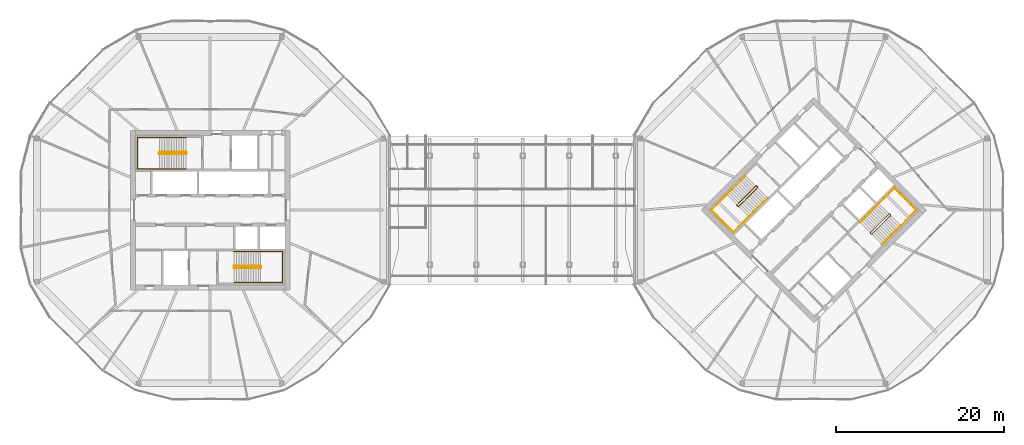
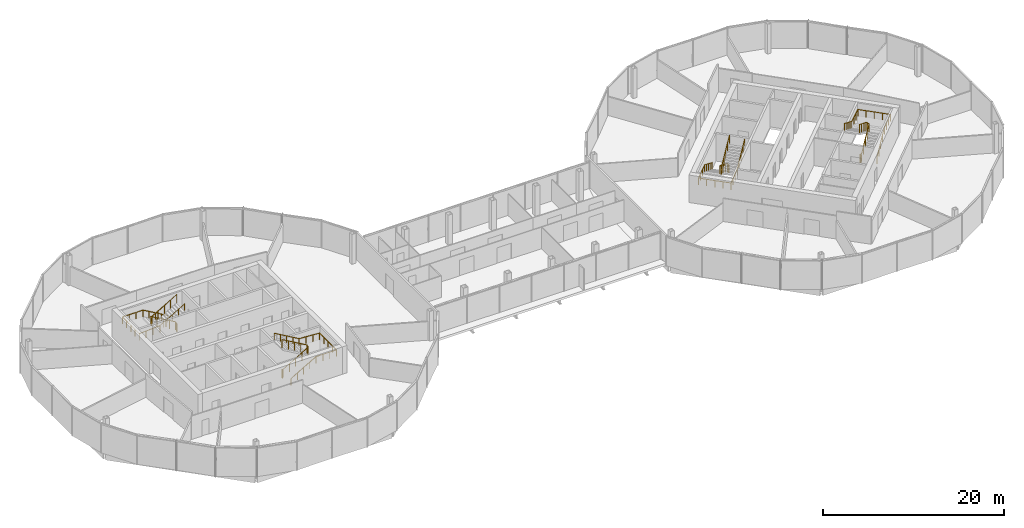
# One storey, part 25 of 25: 8 railings.
"""IFC4 building model written with IfcOpenShell, lengths in metres."""

from ifc_helpers import new_model, si_unit, direction, frame, origin, origin_2d, place, context, subcontext, project, spatial, circle, extrude, material, type_object, element, save


model = new_model("IFC4")

# Units and contexts
model_context = context("Model", 3, precision=1e-05, world=origin(), true_north=direction((0.0, 1.0)))
body_context = subcontext(model_context, "Body", "Model", "MODEL_VIEW")
ifc_project = project(units=[si_unit("LENGTHUNIT", "METRE"), si_unit("AREAUNIT", "SQUARE_METRE"), si_unit("VOLUMEUNIT", "CUBIC_METRE"), si_unit("PLANEANGLEUNIT", "RADIAN"), si_unit("MASSUNIT", "GRAM", prefix="KILO")], contexts=[model_context])

# Site, building, storey
site_placement = place(None, origin())
site = spatial("IfcSite", under=ifc_project, at=site_placement, CompositionType="ELEMENT")
building_placement = place(site_placement, origin())
building = spatial("IfcBuilding", under=site, at=building_placement, Name="Ogive Gate Towers", CompositionType="ELEMENT")
storey_placement = place(building_placement, frame((0.0, 0.0, 152.800048828125)))
storey = spatial("IfcBuildingStorey", under=building, at=storey_placement, Name="L36", CompositionType="ELEMENT", Elevation=152.800048828125)

# Railings
ifc_material = material(Name="Stainless steel", Category="steel")
railing_type_1 = type_object("IfcRailingType", Name="Stair guard 1100", PredefinedType="GUARDRAIL", material=ifc_material)
railing_1_placement = place(storey_placement, frame((-38.81494140625, 6.860107421875, 0.0)))
element("IfcRailing", 1, at=railing_1_placement, inside=storey, type_object=railing_type_1, Name="L36 ST1 stair guard 1", PredefinedType="GUARDRAIL", context=body_context, shape_type="SweptSolid", body=[
    extrude(circle(Radius=0.02392578125, at=origin_2d()), frame((0.0, 0.0, 1.076171875), z_axis=(0.0, -1.0, 0.0), x_axis=(1.0, 0.0, 0.0)), (0.0, 0.0, 1.0), 0.14501953125),
    extrude(circle(Radius=0.02392578125, at=origin_2d()), frame((0.0, -0.14501953125, 1.076171875), z_axis=(-0.19166807023, 0.746103024601, 0.637646945837), x_axis=(-0.968551454522, -0.24881334358, 0.0)), (0.0, 0.0, 1.0), 0.26123046875),
    extrude(circle(Radius=0.02392578125, at=origin_2d()), frame((-0.050048828125, 0.0498046875, 1.24267578125), z_axis=(-0.86512740231, 0.0, 0.501552168546), x_axis=(0.0, -1.0, 0.0)), (0.0, 0.0, 1.0), 3.65576171875),
    extrude(circle(Radius=0.02392578125, at=origin_2d()), frame((-3.212646484375, 0.0498046875, 3.076171875), z_axis=(-0.707106781187, -0.707106781187, 0.0), x_axis=(0.707106781187, -0.707106781187, 0.0)), (0.0, 0.0, 1.0), 0.0703125),
    extrude(circle(Radius=0.02392578125, at=origin_2d()), frame((-3.262451171875, 0.0, 3.076171875), z_axis=(0.0, -1.0, 0.0), x_axis=(1.0, 0.0, 0.0)), (0.0, 0.0, 1.0), 0.14501953125),
    extrude(circle(Radius=0.02392578125, at=origin_2d()), frame((-3.262451171875, -0.14501953125, 3.076171875), z_axis=(0.275382897532, -0.276732813696, 0.920642824102), x_axis=(0.708833529934, 0.705375805398, 0.0)), (0.0, 0.0, 1.0), 0.180908203125),
    extrude(circle(Radius=0.02392578125, at=origin_2d()), frame((-3.212646484375, -0.195068359375, 3.24267578125), z_axis=(0.86512740231, 0.0, 0.501552168546), x_axis=(0.0, 1.0, 0.0)), (0.0, 0.0, 1.0), 3.65576171875),
    extrude(circle(Radius=0.02099609375, at=origin_2d()), origin(), (0.0, 0.0, 1.0), 1.052001953125),
    extrude(circle(Radius=0.02099609375, at=origin_2d()), frame((0.0, -0.14501953125, 0.0)), (0.0, 0.0, 1.0), 1.052001953125),
    extrude(circle(Radius=0.02099609375, at=origin_2d()), frame((-0.050048828125, 0.0498046875, 0.16650390625)), (0.0, 0.0, 1.0), 1.052001953125),
    extrude(circle(Radius=0.02099609375, at=origin_2d()), frame((-0.8408203125, 0.0498046875, 0.625)), (0.0, 0.0, 1.0), 1.052001953125),
    extrude(circle(Radius=0.02099609375, at=origin_2d()), frame((-1.63134765625, 0.0498046875, 1.083251953125)), (0.0, 0.0, 1.0), 1.052001953125),
    extrude(circle(Radius=0.02099609375, at=origin_2d()), frame((-2.421875, 0.0498046875, 1.54150390625)), (0.0, 0.0, 1.0), 1.052001953125),
    extrude(circle(Radius=0.02099609375, at=origin_2d()), frame((-3.212646484375, 0.0498046875, 2.0)), (0.0, 0.0, 1.0), 1.052001953125),
    extrude(circle(Radius=0.02099609375, at=origin_2d()), frame((-3.262451171875, 0.0, 2.0)), (0.0, 0.0, 1.0), 1.052001953125),
    extrude(circle(Radius=0.02099609375, at=origin_2d()), frame((-3.262451171875, -0.14501953125, 2.0)), (0.0, 0.0, 1.0), 1.052001953125),
    extrude(circle(Radius=0.02099609375, at=origin_2d()), frame((-3.212646484375, -0.195068359375, 2.16650390625)), (0.0, 0.0, 1.0), 1.052001953125),
    extrude(circle(Radius=0.02099609375, at=origin_2d()), frame((-2.421875, -0.195068359375, 2.625)), (0.0, 0.0, 1.0), 1.052001953125),
    extrude(circle(Radius=0.02099609375, at=origin_2d()), frame((-1.63134765625, -0.195068359375, 3.083251953125)), (0.0, 0.0, 1.0), 1.052001953125),
    extrude(circle(Radius=0.02099609375, at=origin_2d()), frame((-0.8408203125, -0.195068359375, 3.54150390625)), (0.0, 0.0, 1.0), 1.052001953125),
    extrude(circle(Radius=0.02099609375, at=origin_2d()), frame((-0.050048828125, -0.195068359375, 4.0)), (0.0, 0.0, 1.0), 1.052001953125),
])
railing_2_placement = place(storey_placement, frame((-33.18505859375, -6.860107421875, 0.0)))
element("IfcRailing", 2, at=railing_2_placement, inside=storey, type_object=railing_type_1, Name="L36 ST2 stair guard 1", PredefinedType="GUARDRAIL", context=body_context, shape_type="SweptSolid", body=[
    extrude(circle(Radius=0.02392578125, at=origin_2d()), frame((0.0, 0.0, 1.076171875), z_axis=(0.0, 1.0, 0.0), x_axis=(-1.0, 0.0, 0.0)), (0.0, 0.0, 1.0), 0.14501953125),
    extrude(circle(Radius=0.02392578125, at=origin_2d()), frame((0.0, 0.14501953125, 1.076171875), z_axis=(0.19166807023, -0.746103024601, 0.637646945837), x_axis=(0.968551454522, 0.24881334358, 0.0)), (0.0, 0.0, 1.0), 0.26123046875),
    extrude(circle(Radius=0.02392578125, at=origin_2d()), frame((0.050048828125, -0.0498046875, 1.24267578125), z_axis=(0.86512740231, 0.0, 0.501552168546), x_axis=(0.0, 1.0, 0.0)), (0.0, 0.0, 1.0), 3.65576171875),
    extrude(circle(Radius=0.02392578125, at=origin_2d()), frame((3.212646484375, -0.0498046875, 3.076171875), z_axis=(0.707106781187, 0.707106781187, 0.0), x_axis=(-0.707106781187, 0.707106781187, 0.0)), (0.0, 0.0, 1.0), 0.0703125),
    extrude(circle(Radius=0.02392578125, at=origin_2d()), frame((3.262451171875, 0.0, 3.076171875), z_axis=(0.0, 1.0, 0.0), x_axis=(-1.0, 0.0, 0.0)), (0.0, 0.0, 1.0), 0.14501953125),
    extrude(circle(Radius=0.02392578125, at=origin_2d()), frame((3.262451171875, 0.14501953125, 3.076171875), z_axis=(-0.275382897532, 0.276732813696, 0.920642824102), x_axis=(-0.708833529934, -0.705375805398, 0.0)), (0.0, 0.0, 1.0), 0.180908203125),
    extrude(circle(Radius=0.02392578125, at=origin_2d()), frame((3.212646484375, 0.195068359375, 3.24267578125), z_axis=(-0.86512740231, 0.0, 0.501552168546), x_axis=(0.0, -1.0, 0.0)), (0.0, 0.0, 1.0), 3.65576171875),
    extrude(circle(Radius=0.02099609375, at=origin_2d()), origin(), (0.0, 0.0, 1.0), 1.052001953125),
    extrude(circle(Radius=0.02099609375, at=origin_2d()), frame((0.0, 0.14501953125, 0.0)), (0.0, 0.0, 1.0), 1.052001953125),
    extrude(circle(Radius=0.02099609375, at=origin_2d()), frame((0.050048828125, -0.0498046875, 0.16650390625)), (0.0, 0.0, 1.0), 1.052001953125),
    extrude(circle(Radius=0.02099609375, at=origin_2d()), frame((0.8408203125, -0.0498046875, 0.625)), (0.0, 0.0, 1.0), 1.052001953125),
    extrude(circle(Radius=0.02099609375, at=origin_2d()), frame((1.63134765625, -0.0498046875, 1.083251953125)), (0.0, 0.0, 1.0), 1.052001953125),
    extrude(circle(Radius=0.02099609375, at=origin_2d()), frame((2.421875, -0.0498046875, 1.54150390625)), (0.0, 0.0, 1.0), 1.052001953125),
    extrude(circle(Radius=0.02099609375, at=origin_2d()), frame((3.212646484375, -0.0498046875, 2.0)), (0.0, 0.0, 1.0), 1.052001953125),
    extrude(circle(Radius=0.02099609375, at=origin_2d()), frame((3.262451171875, 0.0, 2.0)), (0.0, 0.0, 1.0), 1.052001953125),
    extrude(circle(Radius=0.02099609375, at=origin_2d()), frame((3.262451171875, 0.14501953125, 2.0)), (0.0, 0.0, 1.0), 1.052001953125),
    extrude(circle(Radius=0.02099609375, at=origin_2d()), frame((3.212646484375, 0.195068359375, 2.16650390625)), (0.0, 0.0, 1.0), 1.052001953125),
    extrude(circle(Radius=0.02099609375, at=origin_2d()), frame((2.421875, 0.195068359375, 2.625)), (0.0, 0.0, 1.0), 1.052001953125),
    extrude(circle(Radius=0.02099609375, at=origin_2d()), frame((1.63134765625, 0.195068359375, 3.083251953125)), (0.0, 0.0, 1.0), 1.052001953125),
    extrude(circle(Radius=0.02099609375, at=origin_2d()), frame((0.8408203125, 0.195068359375, 3.54150390625)), (0.0, 0.0, 1.0), 1.052001953125),
    extrude(circle(Radius=0.02099609375, at=origin_2d()), frame((0.050048828125, 0.195068359375, 4.0)), (0.0, 0.0, 1.0), 1.052001953125),
])
railing_3_placement = place(storey_placement, frame((29.15869140625, 2.8603515625, 0.0)))
element("IfcRailing", 3, at=railing_3_placement, inside=storey, type_object=railing_type_1, Name="L36 ST1 stair guard 1", PredefinedType="GUARDRAIL", context=body_context, shape_type="SweptSolid", body=[
    extrude(circle(Radius=0.02392578125, at=origin_2d()), frame((0.0, 0.0, 1.076171875), z_axis=(0.707106781187, -0.707106781187, 0.0), x_axis=(0.707106781187, 0.707106781187, 0.0)), (0.0, 0.0, 1.0), 0.14501953125),
    extrude(circle(Radius=0.02392578125, at=origin_2d()), frame((0.1025390625, -0.1025390625, 1.076171875), z_axis=(-0.662818031471, 0.39264255743, 0.637576724208), x_axis=(-0.509669330572, -0.860370369942, 0.0)), (0.0, 0.0, 1.0), 0.26123046875),
    extrude(circle(Radius=0.02392578125, at=origin_2d()), frame((-0.070556640625, 0.0, 1.24267578125), z_axis=(-0.611739783828, -0.611739783828, 0.501546482156), x_axis=(0.707106781187, -0.707106781187, 0.0)), (0.0, 0.0, 1.0), 3.65576171875),
    extrude(circle(Radius=0.02392578125, at=origin_2d()), frame((-2.306884765625, -2.236328125, 3.076171875), z_axis=(0.0, -1.0, 0.0), x_axis=(1.0, 0.0, 0.0)), (0.0, 0.0, 1.0), 0.07080078125),
    extrude(circle(Radius=0.02392578125, at=origin_2d()), frame((-2.306884765625, -2.30712890625, 3.076171875), z_axis=(0.707106781187, -0.707106781187, 0.0), x_axis=(0.707106781187, 0.707106781187, 0.0)), (0.0, 0.0, 1.0), 0.14501953125),
    extrude(circle(Radius=0.02392578125, at=origin_2d()), frame((-2.204345703125, -2.40966796875, 3.076171875), z_axis=(0.391312070548, 0.0, 0.920258041771), x_axis=(0.0, 1.0, 0.0)), (0.0, 0.0, 1.0), 0.180908203125),
    extrude(circle(Radius=0.02392578125, at=origin_2d()), frame((-2.133544921875, -2.40966796875, 3.24267578125), z_axis=(0.61169798966, 0.611764776208, 0.501566972633), x_axis=(-0.707145379772, 0.707068180494, 0.0)), (0.0, 0.0, 1.0), 3.655517578125),
    extrude(circle(Radius=0.02099609375, at=origin_2d()), origin(), (0.0, 0.0, 1.0), 1.052001953125),
    extrude(circle(Radius=0.02099609375, at=origin_2d()), frame((0.1025390625, -0.1025390625, 0.0)), (0.0, 0.0, 1.0), 1.052001953125),
    extrude(circle(Radius=0.02099609375, at=origin_2d()), frame((-0.070556640625, 0.0, 0.16650390625)), (0.0, 0.0, 1.0), 1.052001953125),
    extrude(circle(Radius=0.02099609375, at=origin_2d()), frame((-0.629638671875, -0.55908203125, 0.625)), (0.0, 0.0, 1.0), 1.052001953125),
    extrude(circle(Radius=0.02099609375, at=origin_2d()), frame((-1.188720703125, -1.1181640625, 1.083251953125)), (0.0, 0.0, 1.0), 1.052001953125),
    extrude(circle(Radius=0.02099609375, at=origin_2d()), frame((-1.747802734375, -1.67724609375, 1.54150390625)), (0.0, 0.0, 1.0), 1.052001953125),
    extrude(circle(Radius=0.02099609375, at=origin_2d()), frame((-2.306884765625, -2.236328125, 2.0)), (0.0, 0.0, 1.0), 1.052001953125),
    extrude(circle(Radius=0.02099609375, at=origin_2d()), frame((-2.306884765625, -2.30712890625, 2.0)), (0.0, 0.0, 1.0), 1.052001953125),
    extrude(circle(Radius=0.02099609375, at=origin_2d()), frame((-2.204345703125, -2.40966796875, 2.0)), (0.0, 0.0, 1.0), 1.052001953125),
    extrude(circle(Radius=0.02099609375, at=origin_2d()), frame((-2.133544921875, -2.40966796875, 2.16650390625)), (0.0, 0.0, 1.0), 1.052001953125),
    extrude(circle(Radius=0.02099609375, at=origin_2d()), frame((-1.574462890625, -1.8505859375, 2.625)), (0.0, 0.0, 1.0), 1.052001953125),
    extrude(circle(Radius=0.02099609375, at=origin_2d()), frame((-1.015625, -1.29150390625, 3.083251953125)), (0.0, 0.0, 1.0), 1.052001953125),
    extrude(circle(Radius=0.02099609375, at=origin_2d()), frame((-0.45654296875, -0.732421875, 3.54150390625)), (0.0, 0.0, 1.0), 1.052001953125),
    extrude(circle(Radius=0.02099609375, at=origin_2d()), frame((0.1025390625, -0.17333984375, 4.0)), (0.0, 0.0, 1.0), 1.052001953125),
])
railing_4_placement = place(storey_placement, frame((42.84130859375, -2.8603515625, 0.0)))
element("IfcRailing", 4, at=railing_4_placement, inside=storey, type_object=railing_type_1, Name="L36 ST2 stair guard 1", PredefinedType="GUARDRAIL", context=body_context, shape_type="SweptSolid", body=[
    extrude(circle(Radius=0.02392578125, at=origin_2d()), frame((0.0, 0.0, 1.076171875), z_axis=(-0.707106781187, 0.707106781187, 0.0), x_axis=(-0.707106781187, -0.707106781187, 0.0)), (0.0, 0.0, 1.0), 0.14501953125),
    extrude(circle(Radius=0.02392578125, at=origin_2d()), frame((-0.1025390625, 0.1025390625, 1.076171875), z_axis=(0.662818031471, -0.39264255743, 0.637576724208), x_axis=(0.509669330572, 0.860370369942, 0.0)), (0.0, 0.0, 1.0), 0.26123046875),
    extrude(circle(Radius=0.02392578125, at=origin_2d()), frame((0.070556640625, 0.0, 1.24267578125), z_axis=(0.611739783828, 0.611739783828, 0.501546482156), x_axis=(-0.707106781187, 0.707106781187, 0.0)), (0.0, 0.0, 1.0), 3.65576171875),
    extrude(circle(Radius=0.02392578125, at=origin_2d()), frame((2.306884765625, 2.236328125, 3.076171875), z_axis=(0.0, 1.0, 0.0), x_axis=(-1.0, 0.0, 0.0)), (0.0, 0.0, 1.0), 0.07080078125),
    extrude(circle(Radius=0.02392578125, at=origin_2d()), frame((2.306884765625, 2.30712890625, 3.076171875), z_axis=(-0.707106781187, 0.707106781187, 0.0), x_axis=(-0.707106781187, -0.707106781187, 0.0)), (0.0, 0.0, 1.0), 0.14501953125),
    extrude(circle(Radius=0.02392578125, at=origin_2d()), frame((2.204345703125, 2.40966796875, 3.076171875), z_axis=(-0.391312070548, 0.0, 0.920258041771), x_axis=(0.0, -1.0, 0.0)), (0.0, 0.0, 1.0), 0.180908203125),
    extrude(circle(Radius=0.02392578125, at=origin_2d()), frame((2.133544921875, 2.40966796875, 3.24267578125), z_axis=(-0.61169798966, -0.611764776208, 0.501566972633), x_axis=(0.707145379772, -0.707068180494, 0.0)), (0.0, 0.0, 1.0), 3.655517578125),
    extrude(circle(Radius=0.02099609375, at=origin_2d()), origin(), (0.0, 0.0, 1.0), 1.052001953125),
    extrude(circle(Radius=0.02099609375, at=origin_2d()), frame((-0.1025390625, 0.1025390625, 0.0)), (0.0, 0.0, 1.0), 1.052001953125),
    extrude(circle(Radius=0.02099609375, at=origin_2d()), frame((0.070556640625, 0.0, 0.16650390625)), (0.0, 0.0, 1.0), 1.052001953125),
    extrude(circle(Radius=0.02099609375, at=origin_2d()), frame((0.629638671875, 0.55908203125, 0.625)), (0.0, 0.0, 1.0), 1.052001953125),
    extrude(circle(Radius=0.02099609375, at=origin_2d()), frame((1.188720703125, 1.1181640625, 1.083251953125)), (0.0, 0.0, 1.0), 1.052001953125),
    extrude(circle(Radius=0.02099609375, at=origin_2d()), frame((1.747802734375, 1.67724609375, 1.54150390625)), (0.0, 0.0, 1.0), 1.052001953125),
    extrude(circle(Radius=0.02099609375, at=origin_2d()), frame((2.306884765625, 2.236328125, 2.0)), (0.0, 0.0, 1.0), 1.052001953125),
    extrude(circle(Radius=0.02099609375, at=origin_2d()), frame((2.306884765625, 2.30712890625, 2.0)), (0.0, 0.0, 1.0), 1.052001953125),
    extrude(circle(Radius=0.02099609375, at=origin_2d()), frame((2.204345703125, 2.40966796875, 2.0)), (0.0, 0.0, 1.0), 1.052001953125),
    extrude(circle(Radius=0.02099609375, at=origin_2d()), frame((2.133544921875, 2.40966796875, 2.16650390625)), (0.0, 0.0, 1.0), 1.052001953125),
    extrude(circle(Radius=0.02099609375, at=origin_2d()), frame((1.574462890625, 1.8505859375, 2.625)), (0.0, 0.0, 1.0), 1.052001953125),
    extrude(circle(Radius=0.02099609375, at=origin_2d()), frame((1.015625, 1.29150390625, 3.083251953125)), (0.0, 0.0, 1.0), 1.052001953125),
    extrude(circle(Radius=0.02099609375, at=origin_2d()), frame((0.45654296875, 0.732421875, 3.54150390625)), (0.0, 0.0, 1.0), 1.052001953125),
    extrude(circle(Radius=0.02099609375, at=origin_2d()), frame((-0.1025390625, 0.17333984375, 4.0)), (0.0, 0.0, 1.0), 1.052001953125),
])
railing_type_2 = type_object("IfcRailingType", Name="Stair handrail 900", PredefinedType="HANDRAIL", material=ifc_material)
railing_5_placement = place(storey_placement, frame((-38.864990234375, 8.64990234375, 0.16650390625)))
element("IfcRailing", 5, at=railing_5_placement, inside=storey, type_object=railing_type_2, Name="L36 ST1 stair handrail 1", PredefinedType="HANDRAIL", context=body_context, shape_type="SweptSolid", body=[
    extrude(circle(Radius=0.02392578125, at=origin_2d()), frame((0.0, 0.0, 0.8759765625), z_axis=(-0.86512740231, 0.0, 0.501552168546), x_axis=(0.0, -1.0, 0.0)), (0.0, 0.0, 1.0), 3.65576171875),
    extrude(circle(Radius=0.02392578125, at=origin_2d()), frame((-3.16259765625, 0.0, 2.70947265625), z_axis=(-1.0, 0.0, 0.0), x_axis=(0.0, -1.0, 0.0)), (0.0, 0.0, 1.0), 2.622314453125),
    extrude(circle(Radius=0.02392578125, at=origin_2d()), frame((-5.784912109375, 0.0, 2.70947265625), z_axis=(0.0, -1.0, 0.0), x_axis=(1.0, 0.0, 0.0)), (0.0, 0.0, 1.0), 3.724853515625),
    extrude(circle(Radius=0.02392578125, at=origin_2d()), frame((-5.784912109375, -3.724853515625, 2.70947265625), z_axis=(0.997990266097, 0.0, 0.063367410993), x_axis=(0.0, 1.0, 0.0)), (0.0, 0.0, 1.0), 2.627685546875),
    extrude(circle(Radius=0.02392578125, at=origin_2d()), frame((-3.16259765625, -3.724853515625, 2.8759765625), z_axis=(0.86512740231, 0.0, 0.501552168546), x_axis=(0.0, 1.0, 0.0)), (0.0, 0.0, 1.0), 3.65576171875),
    extrude(circle(Radius=0.02099609375, at=origin_2d()), origin(), (0.0, 0.0, 1.0), 0.851806640625),
    extrude(circle(Radius=0.02099609375, at=origin_2d()), frame((-0.79052734375, 0.0, 0.45849609375)), (0.0, 0.0, 1.0), 0.851806640625),
    extrude(circle(Radius=0.02099609375, at=origin_2d()), frame((-1.581298828125, 0.0, 0.916748046875)), (0.0, 0.0, 1.0), 0.851806640625),
    extrude(circle(Radius=0.02099609375, at=origin_2d()), frame((-2.3720703125, 0.0, 1.375)), (0.0, 0.0, 1.0), 0.851806640625),
    extrude(circle(Radius=0.02099609375, at=origin_2d()), frame((-3.16259765625, 0.0, 1.83349609375)), (0.0, 0.0, 1.0), 0.851806640625),
    extrude(circle(Radius=0.02099609375, at=origin_2d()), frame((-4.03662109375, 0.0, 1.83349609375)), (0.0, 0.0, 1.0), 0.851806640625),
    extrude(circle(Radius=0.02099609375, at=origin_2d()), frame((-4.910888671875, 0.0, 1.83349609375)), (0.0, 0.0, 1.0), 0.851806640625),
    extrude(circle(Radius=0.02099609375, at=origin_2d()), frame((-5.784912109375, 0.0, 1.83349609375)), (0.0, 0.0, 1.0), 0.851806640625),
    extrude(circle(Radius=0.02099609375, at=origin_2d()), frame((-5.784912109375, -0.93115234375, 1.83349609375)), (0.0, 0.0, 1.0), 0.851806640625),
    extrude(circle(Radius=0.02099609375, at=origin_2d()), frame((-5.784912109375, -1.8623046875, 1.83349609375)), (0.0, 0.0, 1.0), 0.851806640625),
    extrude(circle(Radius=0.02099609375, at=origin_2d()), frame((-5.784912109375, -2.793701171875, 1.83349609375)), (0.0, 0.0, 1.0), 0.851806640625),
    extrude(circle(Radius=0.02099609375, at=origin_2d()), frame((-5.784912109375, -3.724853515625, 1.83349609375)), (0.0, 0.0, 1.0), 0.851806640625),
    extrude(circle(Radius=0.02099609375, at=origin_2d()), frame((-4.910888671875, -3.724853515625, 1.888916015625)), (0.0, 0.0, 1.0), 0.851806640625),
    extrude(circle(Radius=0.02099609375, at=origin_2d()), frame((-4.03662109375, -3.724853515625, 1.944580078125)), (0.0, 0.0, 1.0), 0.851806640625),
    extrude(circle(Radius=0.02099609375, at=origin_2d()), frame((-3.16259765625, -3.724853515625, 2.0)), (0.0, 0.0, 1.0), 0.851806640625),
    extrude(circle(Radius=0.02099609375, at=origin_2d()), frame((-2.3720703125, -3.724853515625, 2.45849609375)), (0.0, 0.0, 1.0), 0.851806640625),
    extrude(circle(Radius=0.02099609375, at=origin_2d()), frame((-1.581298828125, -3.724853515625, 2.916748046875)), (0.0, 0.0, 1.0), 0.851806640625),
    extrude(circle(Radius=0.02099609375, at=origin_2d()), frame((-0.79052734375, -3.724853515625, 3.375)), (0.0, 0.0, 1.0), 0.851806640625),
    extrude(circle(Radius=0.02099609375, at=origin_2d()), frame((0.0, -3.724853515625, 3.83349609375)), (0.0, 0.0, 1.0), 0.851806640625),
])
railing_6_placement = place(storey_placement, frame((-33.135009765625, -8.64990234375, 0.16650390625)))
element("IfcRailing", 6, at=railing_6_placement, inside=storey, type_object=railing_type_2, Name="L36 ST2 stair handrail 1", PredefinedType="HANDRAIL", context=body_context, shape_type="SweptSolid", body=[
    extrude(circle(Radius=0.02392578125, at=origin_2d()), frame((0.0, 0.0, 0.8759765625), z_axis=(0.86512740231, 0.0, 0.501552168546), x_axis=(0.0, 1.0, 0.0)), (0.0, 0.0, 1.0), 3.65576171875),
    extrude(circle(Radius=0.02392578125, at=origin_2d()), frame((3.16259765625, 0.0, 2.70947265625), z_axis=(1.0, 0.0, 0.0), x_axis=(0.0, 1.0, 0.0)), (0.0, 0.0, 1.0), 2.622314453125),
    extrude(circle(Radius=0.02392578125, at=origin_2d()), frame((5.784912109375, 0.0, 2.70947265625), z_axis=(0.0, 1.0, 0.0), x_axis=(-1.0, 0.0, 0.0)), (0.0, 0.0, 1.0), 3.724853515625),
    extrude(circle(Radius=0.02392578125, at=origin_2d()), frame((5.784912109375, 3.724853515625, 2.70947265625), z_axis=(-0.997990266097, 0.0, 0.063367410993), x_axis=(0.0, -1.0, 0.0)), (0.0, 0.0, 1.0), 2.627685546875),
    extrude(circle(Radius=0.02392578125, at=origin_2d()), frame((3.16259765625, 3.724853515625, 2.8759765625), z_axis=(-0.86512740231, 0.0, 0.501552168546), x_axis=(0.0, -1.0, 0.0)), (0.0, 0.0, 1.0), 3.65576171875),
    extrude(circle(Radius=0.02099609375, at=origin_2d()), origin(), (0.0, 0.0, 1.0), 0.851806640625),
    extrude(circle(Radius=0.02099609375, at=origin_2d()), frame((0.79052734375, 0.0, 0.45849609375)), (0.0, 0.0, 1.0), 0.851806640625),
    extrude(circle(Radius=0.02099609375, at=origin_2d()), frame((1.581298828125, 0.0, 0.916748046875)), (0.0, 0.0, 1.0), 0.851806640625),
    extrude(circle(Radius=0.02099609375, at=origin_2d()), frame((2.3720703125, 0.0, 1.375)), (0.0, 0.0, 1.0), 0.851806640625),
    extrude(circle(Radius=0.02099609375, at=origin_2d()), frame((3.16259765625, 0.0, 1.83349609375)), (0.0, 0.0, 1.0), 0.851806640625),
    extrude(circle(Radius=0.02099609375, at=origin_2d()), frame((4.03662109375, 0.0, 1.83349609375)), (0.0, 0.0, 1.0), 0.851806640625),
    extrude(circle(Radius=0.02099609375, at=origin_2d()), frame((4.910888671875, 0.0, 1.83349609375)), (0.0, 0.0, 1.0), 0.851806640625),
    extrude(circle(Radius=0.02099609375, at=origin_2d()), frame((5.784912109375, 0.0, 1.83349609375)), (0.0, 0.0, 1.0), 0.851806640625),
    extrude(circle(Radius=0.02099609375, at=origin_2d()), frame((5.784912109375, 0.93115234375, 1.83349609375)), (0.0, 0.0, 1.0), 0.851806640625),
    extrude(circle(Radius=0.02099609375, at=origin_2d()), frame((5.784912109375, 1.8623046875, 1.83349609375)), (0.0, 0.0, 1.0), 0.851806640625),
    extrude(circle(Radius=0.02099609375, at=origin_2d()), frame((5.784912109375, 2.793701171875, 1.83349609375)), (0.0, 0.0, 1.0), 0.851806640625),
    extrude(circle(Radius=0.02099609375, at=origin_2d()), frame((5.784912109375, 3.724853515625, 1.83349609375)), (0.0, 0.0, 1.0), 0.851806640625),
    extrude(circle(Radius=0.02099609375, at=origin_2d()), frame((4.910888671875, 3.724853515625, 1.888916015625)), (0.0, 0.0, 1.0), 0.851806640625),
    extrude(circle(Radius=0.02099609375, at=origin_2d()), frame((4.03662109375, 3.724853515625, 1.944580078125)), (0.0, 0.0, 1.0), 0.851806640625),
    extrude(circle(Radius=0.02099609375, at=origin_2d()), frame((3.16259765625, 3.724853515625, 2.0)), (0.0, 0.0, 1.0), 0.851806640625),
    extrude(circle(Radius=0.02099609375, at=origin_2d()), frame((2.3720703125, 3.724853515625, 2.45849609375)), (0.0, 0.0, 1.0), 0.851806640625),
    extrude(circle(Radius=0.02099609375, at=origin_2d()), frame((1.581298828125, 3.724853515625, 2.916748046875)), (0.0, 0.0, 1.0), 0.851806640625),
    extrude(circle(Radius=0.02099609375, at=origin_2d()), frame((0.79052734375, 3.724853515625, 3.375)), (0.0, 0.0, 1.0), 0.851806640625),
    extrude(circle(Radius=0.02099609375, at=origin_2d()), frame((0.0, 3.724853515625, 3.83349609375)), (0.0, 0.0, 1.0), 0.851806640625),
])
railing_7_placement = place(storey_placement, frame((27.857666015625, 4.090576171875, 0.16650390625)))
element("IfcRailing", 7, at=railing_7_placement, inside=storey, type_object=railing_type_2, Name="L36 ST1 stair handrail 1", PredefinedType="HANDRAIL", context=body_context, shape_type="SweptSolid", body=[
    extrude(circle(Radius=0.02392578125, at=origin_2d()), frame((0.0, 0.0, 0.8759765625), z_axis=(-0.611764776208, -0.61169798966, 0.501566972633), x_axis=(0.707068180494, -0.707145379772, 0.0)), (0.0, 0.0, 1.0), 3.655517578125),
    extrude(circle(Radius=0.02392578125, at=origin_2d()), frame((-2.236328125, -2.236083984375, 2.70947265625), z_axis=(-0.70706023191, -0.707153327399, 0.0), x_axis=(0.707153327399, -0.70706023191, 0.0)), (0.0, 0.0, 1.0), 2.62255859375),
    extrude(circle(Radius=0.02392578125, at=origin_2d()), frame((-4.090576171875, -4.090576171875, 2.70947265625), z_axis=(0.707106781187, -0.707106781187, 0.0), x_axis=(0.707106781187, 0.707106781187, 0.0)), (0.0, 0.0, 1.0), 3.72509765625),
    extrude(circle(Radius=0.02392578125, at=origin_2d()), frame((-1.45654296875, -6.724609375, 2.70947265625), z_axis=(0.705639402853, 0.705732311267, 0.063363538215), x_axis=(-0.707153327399, 0.70706023191, 0.0)), (0.0, 0.0, 1.0), 2.627685546875),
    extrude(circle(Radius=0.02392578125, at=origin_2d()), frame((0.397705078125, -4.8701171875, 2.8759765625), z_axis=(0.611764776208, 0.61169798966, 0.501566972633), x_axis=(-0.707068180494, 0.707145379772, 0.0)), (0.0, 0.0, 1.0), 3.655517578125),
    extrude(circle(Radius=0.02099609375, at=origin_2d()), origin(), (0.0, 0.0, 1.0), 0.851806640625),
    extrude(circle(Radius=0.02099609375, at=origin_2d()), frame((-0.55908203125, -0.55908203125, 0.45849609375)), (0.0, 0.0, 1.0), 0.851806640625),
    extrude(circle(Radius=0.02099609375, at=origin_2d()), frame((-1.1181640625, -1.1181640625, 0.916748046875)), (0.0, 0.0, 1.0), 0.851806640625),
    extrude(circle(Radius=0.02099609375, at=origin_2d()), frame((-1.67724609375, -1.677001953125, 1.375)), (0.0, 0.0, 1.0), 0.851806640625),
    extrude(circle(Radius=0.02099609375, at=origin_2d()), frame((-2.236328125, -2.236083984375, 1.83349609375)), (0.0, 0.0, 1.0), 0.851806640625),
    extrude(circle(Radius=0.02099609375, at=origin_2d()), frame((-2.8544921875, -2.854248046875, 1.83349609375)), (0.0, 0.0, 1.0), 0.851806640625),
    extrude(circle(Radius=0.02099609375, at=origin_2d()), frame((-3.472412109375, -3.472412109375, 1.83349609375)), (0.0, 0.0, 1.0), 0.851806640625),
    extrude(circle(Radius=0.02099609375, at=origin_2d()), frame((-4.090576171875, -4.090576171875, 1.83349609375)), (0.0, 0.0, 1.0), 0.851806640625),
    extrude(circle(Radius=0.02099609375, at=origin_2d()), frame((-3.43212890625, -4.7490234375, 1.83349609375)), (0.0, 0.0, 1.0), 0.851806640625),
    extrude(circle(Radius=0.02099609375, at=origin_2d()), frame((-2.7734375, -5.40771484375, 1.83349609375)), (0.0, 0.0, 1.0), 0.851806640625),
    extrude(circle(Radius=0.02099609375, at=origin_2d()), frame((-2.114990234375, -6.066162109375, 1.83349609375)), (0.0, 0.0, 1.0), 0.851806640625),
    extrude(circle(Radius=0.02099609375, at=origin_2d()), frame((-1.45654296875, -6.724609375, 1.83349609375)), (0.0, 0.0, 1.0), 0.851806640625),
    extrude(circle(Radius=0.02099609375, at=origin_2d()), frame((-0.83837890625, -6.1064453125, 1.888916015625)), (0.0, 0.0, 1.0), 0.851806640625),
    extrude(circle(Radius=0.02099609375, at=origin_2d()), frame((-0.220458984375, -5.48828125, 1.944580078125)), (0.0, 0.0, 1.0), 0.851806640625),
    extrude(circle(Radius=0.02099609375, at=origin_2d()), frame((0.397705078125, -4.8701171875, 2.0)), (0.0, 0.0, 1.0), 0.851806640625),
    extrude(circle(Radius=0.02099609375, at=origin_2d()), frame((0.956787109375, -4.31103515625, 2.45849609375)), (0.0, 0.0, 1.0), 0.851806640625),
    extrude(circle(Radius=0.02099609375, at=origin_2d()), frame((1.515869140625, -3.751953125, 2.916748046875)), (0.0, 0.0, 1.0), 0.851806640625),
    extrude(circle(Radius=0.02099609375, at=origin_2d()), frame((2.074951171875, -3.193115234375, 3.375)), (0.0, 0.0, 1.0), 0.851806640625),
    extrude(circle(Radius=0.02099609375, at=origin_2d()), frame((2.634033203125, -2.634033203125, 3.83349609375)), (0.0, 0.0, 1.0), 0.851806640625),
])
railing_8_placement = place(storey_placement, frame((44.142333984375, -4.090576171875, 0.16650390625)))
element("IfcRailing", 8, at=railing_8_placement, inside=storey, type_object=railing_type_2, Name="L36 ST2 stair handrail 1", PredefinedType="HANDRAIL", context=body_context, shape_type="SweptSolid", body=[
    extrude(circle(Radius=0.02392578125, at=origin_2d()), frame((0.0, 0.0, 0.8759765625), z_axis=(0.611764776208, 0.61169798966, 0.501566972633), x_axis=(-0.707068180494, 0.707145379772, 0.0)), (0.0, 0.0, 1.0), 3.655517578125),
    extrude(circle(Radius=0.02392578125, at=origin_2d()), frame((2.236328125, 2.236083984375, 2.70947265625), z_axis=(0.70706023191, 0.707153327399, 0.0), x_axis=(-0.707153327399, 0.70706023191, 0.0)), (0.0, 0.0, 1.0), 2.62255859375),
    extrude(circle(Radius=0.02392578125, at=origin_2d()), frame((4.090576171875, 4.090576171875, 2.70947265625), z_axis=(-0.707106781187, 0.707106781187, 0.0), x_axis=(-0.707106781187, -0.707106781187, 0.0)), (0.0, 0.0, 1.0), 3.72509765625),
    extrude(circle(Radius=0.02392578125, at=origin_2d()), frame((1.45654296875, 6.724609375, 2.70947265625), z_axis=(-0.705639402853, -0.705732311267, 0.063363538215), x_axis=(0.707153327399, -0.70706023191, 0.0)), (0.0, 0.0, 1.0), 2.627685546875),
    extrude(circle(Radius=0.02392578125, at=origin_2d()), frame((-0.397705078125, 4.8701171875, 2.8759765625), z_axis=(-0.611764776208, -0.61169798966, 0.501566972633), x_axis=(0.707068180494, -0.707145379772, 0.0)), (0.0, 0.0, 1.0), 3.655517578125),
    extrude(circle(Radius=0.02099609375, at=origin_2d()), origin(), (0.0, 0.0, 1.0), 0.851806640625),
    extrude(circle(Radius=0.02099609375, at=origin_2d()), frame((0.55908203125, 0.55908203125, 0.45849609375)), (0.0, 0.0, 1.0), 0.851806640625),
    extrude(circle(Radius=0.02099609375, at=origin_2d()), frame((1.1181640625, 1.1181640625, 0.916748046875)), (0.0, 0.0, 1.0), 0.851806640625),
    extrude(circle(Radius=0.02099609375, at=origin_2d()), frame((1.67724609375, 1.677001953125, 1.375)), (0.0, 0.0, 1.0), 0.851806640625),
    extrude(circle(Radius=0.02099609375, at=origin_2d()), frame((2.236328125, 2.236083984375, 1.83349609375)), (0.0, 0.0, 1.0), 0.851806640625),
    extrude(circle(Radius=0.02099609375, at=origin_2d()), frame((2.8544921875, 2.854248046875, 1.83349609375)), (0.0, 0.0, 1.0), 0.851806640625),
    extrude(circle(Radius=0.02099609375, at=origin_2d()), frame((3.472412109375, 3.472412109375, 1.83349609375)), (0.0, 0.0, 1.0), 0.851806640625),
    extrude(circle(Radius=0.02099609375, at=origin_2d()), frame((4.090576171875, 4.090576171875, 1.83349609375)), (0.0, 0.0, 1.0), 0.851806640625),
    extrude(circle(Radius=0.02099609375, at=origin_2d()), frame((3.43212890625, 4.7490234375, 1.83349609375)), (0.0, 0.0, 1.0), 0.851806640625),
    extrude(circle(Radius=0.02099609375, at=origin_2d()), frame((2.7734375, 5.40771484375, 1.83349609375)), (0.0, 0.0, 1.0), 0.851806640625),
    extrude(circle(Radius=0.02099609375, at=origin_2d()), frame((2.114990234375, 6.066162109375, 1.83349609375)), (0.0, 0.0, 1.0), 0.851806640625),
    extrude(circle(Radius=0.02099609375, at=origin_2d()), frame((1.45654296875, 6.724609375, 1.83349609375)), (0.0, 0.0, 1.0), 0.851806640625),
    extrude(circle(Radius=0.02099609375, at=origin_2d()), frame((0.83837890625, 6.1064453125, 1.888916015625)), (0.0, 0.0, 1.0), 0.851806640625),
    extrude(circle(Radius=0.02099609375, at=origin_2d()), frame((0.220458984375, 5.48828125, 1.944580078125)), (0.0, 0.0, 1.0), 0.851806640625),
    extrude(circle(Radius=0.02099609375, at=origin_2d()), frame((-0.397705078125, 4.8701171875, 2.0)), (0.0, 0.0, 1.0), 0.851806640625),
    extrude(circle(Radius=0.02099609375, at=origin_2d()), frame((-0.956787109375, 4.31103515625, 2.45849609375)), (0.0, 0.0, 1.0), 0.851806640625),
    extrude(circle(Radius=0.02099609375, at=origin_2d()), frame((-1.515869140625, 3.751953125, 2.916748046875)), (0.0, 0.0, 1.0), 0.851806640625),
    extrude(circle(Radius=0.02099609375, at=origin_2d()), frame((-2.074951171875, 3.193115234375, 3.375)), (0.0, 0.0, 1.0), 0.851806640625),
    extrude(circle(Radius=0.02099609375, at=origin_2d()), frame((-2.634033203125, 2.634033203125, 3.83349609375)), (0.0, 0.0, 1.0), 0.851806640625),
])

save(model, "model.ifc")
